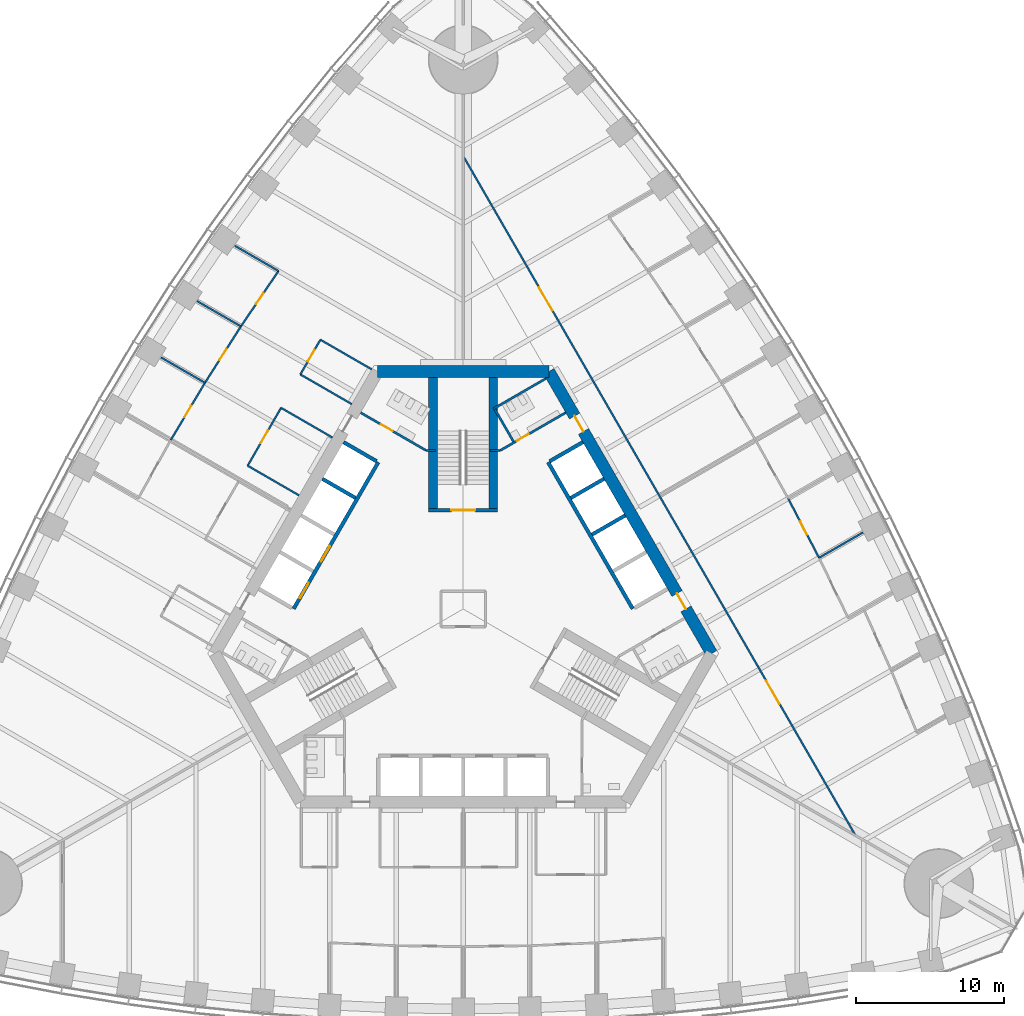
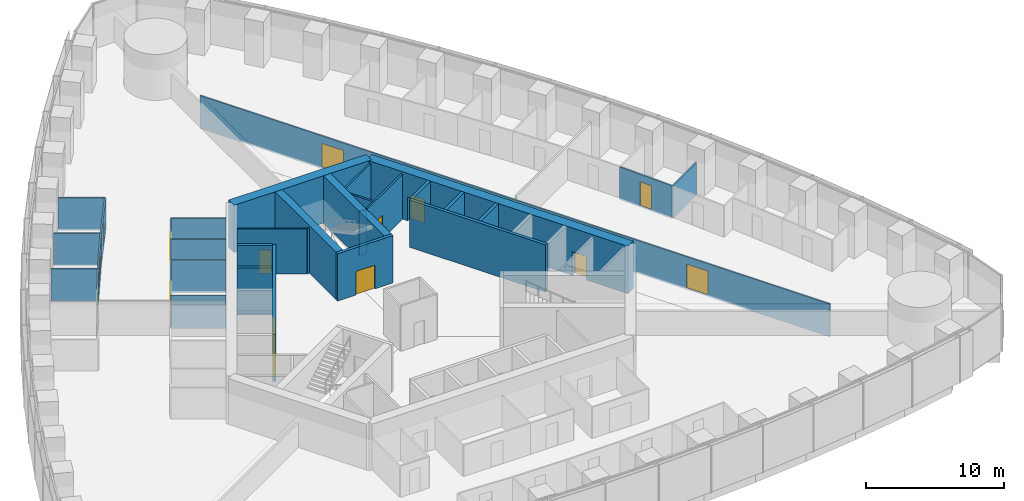
# One storey, part 12 of 18: 33 walls, 15 doors, 15 openings.
"""IFC4 building model written with IfcOpenShell, lengths in metres."""

from ifc_helpers import new_model, si_unit, direction, frame, frame_2d, origin, place, context, subcontext, project, spatial, rectangle, extrude, material, layer, layer_set, type_object, element, fill, save


model = new_model("IFC4")

# Units and contexts
model_context = context("Model", 3, precision=1e-05, world=origin(), true_north=direction((0.0, 1.0)))
body_context = subcontext(model_context, "Body", "Model", "MODEL_VIEW")
ifc_project = project(units=[si_unit("LENGTHUNIT", "METRE"), si_unit("AREAUNIT", "SQUARE_METRE"), si_unit("VOLUMEUNIT", "CUBIC_METRE"), si_unit("PLANEANGLEUNIT", "RADIAN"), si_unit("MASSUNIT", "GRAM", prefix="KILO")], contexts=[model_context])

# Site, building, storey
site_placement = place(None, origin())
site = spatial("IfcSite", under=ifc_project, at=site_placement, CompositionType="ELEMENT")
building_placement = place(site_placement, origin())
building = spatial("IfcBuilding", under=site, at=building_placement, Name="Trefoil Bronze Tower", CompositionType="ELEMENT")
storey_placement = place(building_placement, frame((0.0, 0.0, 41.699951171875)))
storey = spatial("IfcBuildingStorey", under=building, at=storey_placement, Name="L09", CompositionType="ELEMENT", Elevation=41.699951171875)

# Wall, openings, doors
ifc_material_1 = material(Name="Concrete B80", Category="concrete")
ifc_layer_1 = layer(ifc_material_1, 0.800048828125)
ifc_layer_set_1 = layer_set([ifc_layer_1], Name="Core wall 800")
wall_type_1 = type_object("IfcWallType", Name="Core wall 800", PredefinedType="SHEAR", material=ifc_layer_set_1)
wall_1_placement = place(storey_placement, frame((16.7431640625, -3.0, 0.0), z_axis=(0.0, 0.0, 1.0), x_axis=(-0.500002442456, 0.866023993627, 0.0)))
wall_1 = element("IfcWall", 1, at=wall_1_placement, inside=storey, type_object=wall_type_1, Name="Core long wall 2 L09", PredefinedType="SHEAR", context=body_context, shape_type="SweptSolid", body=[
    extrude(rectangle(XDim=21.939453125, YDim=0.800048828125, at=frame_2d((10.9697265625, 0.0))), origin(), (0.0, 0.0, 1.0), 4.199951171875),
])
opening_1_placement = place(wall_1_placement, frame((17.269775390625, 0.0, 0.0)))
opening_1 = element("IfcOpeningElement", 2, at=opening_1_placement, cuts=wall_1, Name="Opening D2", PredefinedType="OPENING", context=body_context, shape_type="SweptSolid", body=[
    extrude(rectangle(XDim=1.199951171875, YDim=2.10009765625, at=frame_2d((0.60009765625, 1.050048828125))), frame((0.0, 0.409912109375, 0.0), z_axis=(0.0, -1.0, 0.0), x_axis=(1.0, 0.0, 0.0)), (0.0, 0.0, 1.0), 0.820068359375),
])
opening_2_placement = place(wall_1_placement, frame((3.4697265625, 0.0, 0.0)))
opening_2 = element("IfcOpeningElement", 3, at=opening_2_placement, cuts=wall_1, Name="Opening D2", PredefinedType="OPENING", context=body_context, shape_type="SweptSolid", body=[
    extrude(rectangle(XDim=1.199951171875, YDim=2.10009765625, at=frame_2d((0.60009765625, 1.050048828125))), frame((0.0, 0.409912109375, 0.0), z_axis=(0.0, -1.0, 0.0), x_axis=(1.0, 0.0, 0.0)), (0.0, 0.0, 1.0), 0.820068359375),
])
ifc_material_2 = material(Name="Steel door", Category="steel")
door_type_1 = type_object("IfcDoorType", Name="Lobby door 1200", OperationType="SINGLE_SWING_RIGHT", PredefinedType="DOOR", material=ifc_material_2)
door_1_placement = place(opening_1_placement, origin())
door_1 = element("IfcDoor", 4, at=door_1_placement, inside=storey, type_object=door_type_1, Name="Lobby door F2+ L09", OperationType="SINGLE_SWING_RIGHT", OverallHeight=2.10009765625, OverallWidth=1.199951171875, PredefinedType="DOOR", context=body_context, shape_type="SweptSolid", body=[
    extrude(rectangle(XDim=1.199951171875, YDim=2.10009765625, at=frame_2d((0.60009765625, 1.050048828125))), frame((0.0, 0.02490234375, 0.0), z_axis=(0.0, -1.0, 0.0), x_axis=(1.0, 0.0, 0.0)), (0.0, 0.0, 1.0), 0.050048828125),
])
fill(opening_1, door_1)
door_2_placement = place(opening_2_placement, origin())
door_2 = element("IfcDoor", 5, at=door_2_placement, inside=storey, type_object=door_type_1, Name="Lobby door F2- L09", OperationType="SINGLE_SWING_LEFT", OverallHeight=2.10009765625, OverallWidth=1.199951171875, PredefinedType="DOOR", context=body_context, shape_type="SweptSolid", body=[
    extrude(rectangle(XDim=1.199951171875, YDim=2.10009765625, at=frame_2d((0.60009765625, 1.050048828125))), frame((0.0, 0.02490234375, 0.0), z_axis=(0.0, -1.0, 0.0), x_axis=(1.0, 0.0, 0.0)), (0.0, 0.0, 1.0), 0.050048828125),
])
fill(opening_2, door_2)

# Wall
wall_2_placement = place(storey_placement, frame((5.7734375, 16.0, 0.0), z_axis=(0.0, 0.0, 1.0), x_axis=(-1.0, 0.0, 0.0)))
element("IfcWall", 6, at=wall_2_placement, inside=storey, type_object=wall_type_1, Name="Core short wall 2 L09", PredefinedType="SHEAR", context=body_context, shape_type="SweptSolid", body=[
    extrude(rectangle(XDim=11.546875, YDim=0.800048828125, at=frame_2d((5.7734375, 0.0))), origin(), (0.0, 0.0, 1.0), 4.199951171875),
])

# Wall, openings, doors
ifc_material_3 = material(Name="Glazed partition", Category="glass")
ifc_layer_2 = layer(ifc_material_3, 0.1201171875)
ifc_layer_set_2 = layer_set([ifc_layer_2], Name="Glazed partition 120")
wall_type_2 = type_object("IfcWallType", Name="Glazed partition 120", PredefinedType="PARTITIONING", material=ifc_layer_set_2)
wall_3_placement = place(storey_placement, frame((26.41455078125, -15.2314453125, 0.0), z_axis=(0.0, 0.0, 1.0), x_axis=(-0.50000091641, 0.866024874695, 0.0)))
wall_3 = element("IfcWall", 7, at=wall_3_placement, inside=storey, type_object=wall_type_2, Name="Partition F2 L09", PredefinedType="PARTITIONING", context=body_context, shape_type="SweptSolid", body=[
    extrude(rectangle(XDim=52.79638671875, YDim=0.1201171875, at=frame_2d((26.398193359375, 0.0))), origin(), (0.0, 0.0, 1.0), 2.900146484375),
])
opening_3_placement = place(wall_3_placement, frame((10.199951171875, 0.0, 0.14990234375)))
opening_3 = element("IfcOpeningElement", 8, at=opening_3_placement, cuts=wall_3, Name="Opening D10", PredefinedType="OPENING", context=body_context, shape_type="SweptSolid", body=[
    extrude(rectangle(XDim=1.800048828125, YDim=2.10009765625, at=frame_2d((0.89990234375, 1.050048828125))), frame((0.0, 0.070068359375, 0.0), z_axis=(0.0, -1.0, 0.0), x_axis=(1.0, 0.0, 0.0)), (0.0, 0.0, 1.0), 0.14013671875),
])
opening_4_placement = place(wall_3_placement, frame((40.800048828125, 0.0, 0.14990234375)))
opening_4 = element("IfcOpeningElement", 9, at=opening_4_placement, cuts=wall_3, Name="Opening D10", PredefinedType="OPENING", context=body_context, shape_type="SweptSolid", body=[
    extrude(rectangle(XDim=1.800048828125, YDim=2.10009765625, at=frame_2d((0.89990234375, 1.050048828125))), frame((0.0, 0.070068359375, 0.0), z_axis=(0.0, -1.0, 0.0), x_axis=(1.0, 0.0, 0.0)), (0.0, 0.0, 1.0), 0.14013671875),
])
ifc_material_4 = material(Name="Timber door", Category="wood")
door_type_2 = type_object("IfcDoorType", Name="Double door 1800", OperationType="DOUBLE_DOOR_SINGLE_SWING", PredefinedType="DOOR", material=ifc_material_4)
door_3_placement = place(opening_3_placement, origin())
door_3 = element("IfcDoor", 10, at=door_3_placement, inside=storey, type_object=door_type_2, Name="Corridor door F2 L09", OperationType="DOUBLE_DOOR_SINGLE_SWING", OverallHeight=2.10009765625, OverallWidth=1.800048828125, PredefinedType="DOOR", context=body_context, shape_type="SweptSolid", body=[
    extrude(rectangle(XDim=1.800048828125, YDim=2.10009765625, at=frame_2d((0.89990234375, 1.050048828125))), frame((0.0, 0.02490234375, 0.0), z_axis=(0.0, -1.0, 0.0), x_axis=(1.0, 0.0, 0.0)), (0.0, 0.0, 1.0), 0.050048828125),
])
fill(opening_3, door_3)
door_4_placement = place(opening_4_placement, origin())
door_4 = element("IfcDoor", 11, at=door_4_placement, inside=storey, type_object=door_type_2, Name="Corridor door F2 L09", OperationType="DOUBLE_DOOR_SINGLE_SWING", OverallHeight=2.10009765625, OverallWidth=1.800048828125, PredefinedType="DOOR", context=body_context, shape_type="SweptSolid", body=[
    extrude(rectangle(XDim=1.800048828125, YDim=2.10009765625, at=frame_2d((0.89990234375, 1.050048828125))), frame((0.0, 0.02490234375, 0.0), z_axis=(0.0, -1.0, 0.0), x_axis=(1.0, 0.0, 0.0)), (0.0, 0.0, 1.0), 0.050048828125),
])
fill(opening_4, door_4)

# Wall, opening, door
wall_4_placement = place(storey_placement, frame((23.974609375, 3.449462890625, 0.0), z_axis=(0.0, 0.0, 1.0), x_axis=(-0.461810056307, 0.886978845235, 0.0)))
wall_4 = element("IfcWall", 12, at=wall_4_placement, inside=storey, type_object=wall_type_2, Name="Partition F2 L09", PredefinedType="PARTITIONING", context=body_context, shape_type="SweptSolid", body=[
    extrude(rectangle(XDim=4.504150390625, YDim=0.1201171875, at=frame_2d((2.251953125, 0.0))), origin(), (0.0, 0.0, 1.0), 2.900146484375),
])
opening_5_placement = place(wall_4_placement, frame((1.75, 0.0, 0.14990234375)))
opening_5 = element("IfcOpeningElement", 13, at=opening_5_placement, cuts=wall_4, Name="Opening D9", PredefinedType="OPENING", context=body_context, shape_type="SweptSolid", body=[
    extrude(rectangle(XDim=1.0, YDim=2.10009765625, at=frame_2d((0.5, 1.050048828125))), frame((0.0, 0.070068359375, 0.0), z_axis=(0.0, -1.0, 0.0), x_axis=(1.0, 0.0, 0.0)), (0.0, 0.0, 1.0), 0.14013671875),
])
ifc_material_5 = material(Name="Glazed timber door", Category="wood")
door_type_3 = type_object("IfcDoorType", Name="Meeting room door 1000", OperationType="SINGLE_SWING_LEFT", PredefinedType="DOOR", material=ifc_material_5)
door_5_placement = place(opening_5_placement, frame((1.0, 0.0, 0.0), z_axis=(0.0, 0.0, 1.0), x_axis=(-1.0, 0.0, 0.0)))
door_5 = element("IfcDoor", 14, at=door_5_placement, inside=storey, type_object=door_type_3, Name="Meeting room door F2 L09", OperationType="SINGLE_SWING_RIGHT", OverallHeight=2.10009765625, OverallWidth=1.0, PredefinedType="DOOR", context=body_context, shape_type="SweptSolid", body=[
    extrude(rectangle(XDim=1.0, YDim=2.10009765625, at=frame_2d((0.5, 1.050048828125))), frame((0.0, 0.02490234375, 0.0), z_axis=(0.0, -1.0, 0.0), x_axis=(1.0, 0.0, 0.0)), (0.0, 0.0, 1.0), 0.050048828125),
])
fill(opening_5, door_5)

# Wall
wall_5_placement = place(storey_placement, frame((23.974609375, 3.449462890625, 0.0), z_axis=(0.0, 0.0, 1.0), x_axis=(0.866014265796, 0.500019291066, 0.0)))
element("IfcWall", 15, at=wall_5_placement, inside=storey, type_object=wall_type_2, Name="Partition F2 L09", PredefinedType="PARTITIONING", context=body_context, shape_type="SweptSolid", body=[
    extrude(rectangle(XDim=3.417236328125, YDim=0.1201171875, at=frame_2d((1.70849609375, 0.0))), origin(), (0.0, 0.0, 1.0), 2.900146484375),
])

# Wall, opening, door
wall_6_placement = place(storey_placement, frame((-9.618896484375, 18.1396484375, 0.0), z_axis=(0.0, 0.0, 1.0), x_axis=(-0.499980770555, -0.866036505625, 0.0)))
wall_6 = element("IfcWall", 16, at=wall_6_placement, inside=storey, type_object=wall_type_2, Name="Partition F3 L09", PredefinedType="PARTITIONING", context=body_context, shape_type="SweptSolid", body=[
    extrude(rectangle(XDim=2.69970703125, YDim=0.1201171875, at=frame_2d((1.349853515625, 0.0))), origin(), (0.0, 0.0, 1.0), 2.900146484375),
])
opening_6_placement = place(wall_6_placement, frame((0.800048828125, 0.0, 0.14990234375)))
opening_6 = element("IfcOpeningElement", 17, at=opening_6_placement, cuts=wall_6, Name="Opening D8", PredefinedType="OPENING", context=body_context, shape_type="SweptSolid", body=[
    extrude(rectangle(XDim=0.89990234375, YDim=2.10009765625, at=frame_2d((0.449951171875, 1.050048828125))), frame((0.0, 0.070068359375, 0.0), z_axis=(0.0, -1.0, 0.0), x_axis=(1.0, 0.0, 0.0)), (0.0, 0.0, 1.0), 0.14013671875),
])
ifc_material_6 = material(Name="Timber door", Category="wood")
door_type_4 = type_object("IfcDoorType", Name="Office door 900", OperationType="SINGLE_SWING_LEFT", PredefinedType="DOOR", material=ifc_material_6)
door_6_placement = place(opening_6_placement, origin())
door_6 = element("IfcDoor", 18, at=door_6_placement, inside=storey, type_object=door_type_4, Name="Pantry door F3 L09", OperationType="SINGLE_SWING_LEFT", OverallHeight=2.10009765625, OverallWidth=0.89990234375, PredefinedType="DOOR", context=body_context, shape_type="SweptSolid", body=[
    extrude(rectangle(XDim=0.89990234375, YDim=2.10009765625, at=frame_2d((0.449951171875, 1.050048828125))), frame((0.0, 0.02490234375, 0.0), z_axis=(0.0, -1.0, 0.0), x_axis=(1.0, 0.0, 0.0)), (0.0, 0.0, 1.0), 0.050048828125),
])
fill(opening_6, door_6)

wall_7_placement = place(storey_placement, frame((-12.268798828125, 13.5498046875, 0.0), z_axis=(0.0, 0.0, 1.0), x_axis=(-0.499990139034, -0.866031096941, 0.0)))
wall_7 = element("IfcWall", 19, at=wall_7_placement, inside=storey, type_object=wall_type_2, Name="Partition F3 L09", PredefinedType="PARTITIONING", context=body_context, shape_type="SweptSolid", body=[
    extrude(rectangle(XDim=4.5, YDim=0.1201171875, at=frame_2d((2.25, 0.0))), origin(), (0.0, 0.0, 1.0), 2.900146484375),
])
opening_7_placement = place(wall_7_placement, frame((1.75, 0.0, 0.14990234375)))
opening_7 = element("IfcOpeningElement", 20, at=opening_7_placement, cuts=wall_7, Name="Opening D9", PredefinedType="OPENING", context=body_context, shape_type="SweptSolid", body=[
    extrude(rectangle(XDim=1.0, YDim=2.10009765625, at=frame_2d((0.5, 1.050048828125))), frame((0.0, 0.070068359375, 0.0), z_axis=(0.0, -1.0, 0.0), x_axis=(1.0, 0.0, 0.0)), (0.0, 0.0, 1.0), 0.14013671875),
])
door_7_placement = place(opening_7_placement, origin())
door_7 = element("IfcDoor", 21, at=door_7_placement, inside=storey, type_object=door_type_3, Name="Project room door F3 L09", OperationType="SINGLE_SWING_RIGHT", OverallHeight=2.10009765625, OverallWidth=1.0, PredefinedType="DOOR", context=body_context, shape_type="SweptSolid", body=[
    extrude(rectangle(XDim=1.0, YDim=2.10009765625, at=frame_2d((0.5, 1.050048828125))), frame((0.0, 0.02490234375, 0.0), z_axis=(0.0, -1.0, 0.0), x_axis=(1.0, 0.0, 0.0)), (0.0, 0.0, 1.0), 0.050048828125),
])
fill(opening_7, door_7)

# Walls
for number, where, z_axis, x_axis, name in (
    (22, (-11.0546875, 7.652587890625, 0.0), (0.0, 0.0, 1.0), (-0.866026010844, 0.49999894854, 0.0), "Partition F3 L09"),
    (23, (-6.15478515625, 16.1396484375, 0.0), (0.0, 0.0, 1.0), (-0.866026010844, 0.49999894854, 0.0), "Partition F3 L09"),
    (24, (-8.8046875, 11.5498046875, 0.0), (0.0, 0.0, 1.0), (-0.866026010844, 0.49999894854, 0.0), "Partition F3 L09"),
    (25, (-7.504638671875, 13.801513671875, 0.0), (0.0, 0.0, 1.0), (-0.866026010844, 0.49999894854, 0.0), "Partition F3 L09"),
):
    element("IfcWall", number, at=place(storey_placement, frame(where, z_axis=z_axis, x_axis=x_axis)), inside=storey, type_object=wall_type_2, Name=name, PredefinedType="PARTITIONING", context=body_context, shape_type="SweptSolid", body=[
        extrude(rectangle(XDim=4.0, YDim=0.1201171875, at=frame_2d((2.0, 0.0))), origin(), (0.0, 0.0, 1.0), 2.900146484375),
    ])

# Wall, opening, door
wall_8_placement = place(storey_placement, frame((-12.441162109375, 22.771240234375, 0.0), z_axis=(0.0, 0.0, 1.0), x_axis=(-0.561512004239, -0.827468591002, 0.0)))
wall_8 = element("IfcWall", 26, at=wall_8_placement, inside=storey, type_object=wall_type_2, Name="Partition F3 L09", PredefinedType="PARTITIONING", context=body_context, shape_type="SweptSolid", body=[
    extrude(rectangle(XDim=4.51171875, YDim=0.1201171875, at=frame_2d((2.255859375, 0.0))), origin(), (0.0, 0.0, 1.0), 2.900146484375),
])
opening_8_placement = place(wall_8_placement, frame((1.800048828125, 0.0, 0.14990234375)))
opening_8 = element("IfcOpeningElement", 27, at=opening_8_placement, cuts=wall_8, Name="Opening D8", PredefinedType="OPENING", context=body_context, shape_type="SweptSolid", body=[
    extrude(rectangle(XDim=0.89990234375, YDim=2.10009765625, at=frame_2d((0.449951171875, 1.050048828125))), frame((0.0, 0.070068359375, 0.0), z_axis=(0.0, -1.0, 0.0), x_axis=(1.0, 0.0, 0.0)), (0.0, 0.0, 1.0), 0.14013671875),
])
door_8_placement = place(opening_8_placement, frame((0.89990234375, 0.0, 0.0), z_axis=(0.0, 0.0, 1.0), x_axis=(-1.0, 0.0, 0.0)))
door_8 = element("IfcDoor", 28, at=door_8_placement, inside=storey, type_object=door_type_4, Name="Office door F3 L09", OperationType="SINGLE_SWING_RIGHT", OverallHeight=2.10009765625, OverallWidth=0.89990234375, PredefinedType="DOOR", context=body_context, shape_type="SweptSolid", body=[
    extrude(rectangle(XDim=0.89990234375, YDim=2.10009765625, at=frame_2d((0.449951171875, 1.050048828125))), frame((0.0, 0.02490234375, 0.0), z_axis=(0.0, -1.0, 0.0), x_axis=(1.0, 0.0, 0.0)), (0.0, 0.0, 1.0), 0.050048828125),
])
fill(opening_8, door_8)

wall_9_placement = place(storey_placement, frame((-17.39453125, 15.23876953125, 0.0), z_axis=(0.0, 0.0, 1.0), x_axis=(-0.512483962191, -0.858696796604, 0.0)))
wall_9 = element("IfcWall", 29, at=wall_9_placement, inside=storey, type_object=wall_type_2, Name="Partition F3 L09", PredefinedType="PARTITIONING", context=body_context, shape_type="SweptSolid", body=[
    extrude(rectangle(XDim=4.50048828125, YDim=0.1201171875, at=frame_2d((2.250244140625, 0.0))), origin(), (0.0, 0.0, 1.0), 2.900146484375),
])
opening_9_placement = place(wall_9_placement, frame((1.800048828125, 0.0, 0.14990234375)))
opening_9 = element("IfcOpeningElement", 30, at=opening_9_placement, cuts=wall_9, Name="Opening D8", PredefinedType="OPENING", context=body_context, shape_type="SweptSolid", body=[
    extrude(rectangle(XDim=0.89990234375, YDim=2.10009765625, at=frame_2d((0.449951171875, 1.050048828125))), frame((0.0, 0.070068359375, 0.0), z_axis=(0.0, -1.0, 0.0), x_axis=(1.0, 0.0, 0.0)), (0.0, 0.0, 1.0), 0.14013671875),
])
door_9_placement = place(opening_9_placement, frame((0.89990234375, 0.0, 0.0), z_axis=(0.0, 0.0, 1.0), x_axis=(-1.0, 0.0, 0.0)))
door_9 = element("IfcDoor", 31, at=door_9_placement, inside=storey, type_object=door_type_4, Name="Office door F3 L09", OperationType="SINGLE_SWING_RIGHT", OverallHeight=2.10009765625, OverallWidth=0.89990234375, PredefinedType="DOOR", context=body_context, shape_type="SweptSolid", body=[
    extrude(rectangle(XDim=0.89990234375, YDim=2.10009765625, at=frame_2d((0.449951171875, 1.050048828125))), frame((0.0, 0.02490234375, 0.0), z_axis=(0.0, -1.0, 0.0), x_axis=(1.0, 0.0, 0.0)), (0.0, 0.0, 1.0), 0.050048828125),
])
fill(opening_9, door_9)

wall_10_placement = place(storey_placement, frame((-14.974609375, 19.037841796875, 0.0), z_axis=(0.0, 0.0, 1.0), x_axis=(-0.537243691336, -0.843427066272, 0.0)))
wall_10 = element("IfcWall", 32, at=wall_10_placement, inside=storey, type_object=wall_type_2, Name="Partition F3 L09", PredefinedType="PARTITIONING", context=body_context, shape_type="SweptSolid", body=[
    extrude(rectangle(XDim=4.50439453125, YDim=0.1201171875, at=frame_2d((2.252197265625, 0.0))), origin(), (0.0, 0.0, 1.0), 2.900146484375),
])
opening_10_placement = place(wall_10_placement, frame((1.800048828125, 0.0, 0.14990234375)))
opening_10 = element("IfcOpeningElement", 33, at=opening_10_placement, cuts=wall_10, Name="Opening D8", PredefinedType="OPENING", context=body_context, shape_type="SweptSolid", body=[
    extrude(rectangle(XDim=0.89990234375, YDim=2.10009765625, at=frame_2d((0.449951171875, 1.050048828125))), frame((0.0, 0.070068359375, 0.0), z_axis=(0.0, -1.0, 0.0), x_axis=(1.0, 0.0, 0.0)), (0.0, 0.0, 1.0), 0.14013671875),
])
door_10_placement = place(opening_10_placement, frame((0.89990234375, 0.0, 0.0), z_axis=(0.0, 0.0, 1.0), x_axis=(-1.0, 0.0, 0.0)))
door_10 = element("IfcDoor", 34, at=door_10_placement, inside=storey, type_object=door_type_4, Name="Office door F3 L09", OperationType="SINGLE_SWING_RIGHT", OverallHeight=2.10009765625, OverallWidth=0.89990234375, PredefinedType="DOOR", context=body_context, shape_type="SweptSolid", body=[
    extrude(rectangle(XDim=0.89990234375, YDim=2.10009765625, at=frame_2d((0.449951171875, 1.050048828125))), frame((0.0, 0.02490234375, 0.0), z_axis=(0.0, -1.0, 0.0), x_axis=(1.0, 0.0, 0.0)), (0.0, 0.0, 1.0), 0.050048828125),
])
fill(opening_10, door_10)

# Walls
wall_11_placement = place(storey_placement, frame((-12.441162109375, 22.771240234375, 0.0), z_axis=(0.0, 0.0, 1.0), x_axis=(-0.866016478054, 0.500015459501, 0.0)))
element("IfcWall", 35, at=wall_11_placement, inside=storey, type_object=wall_type_2, Name="Partition F3 L09", PredefinedType="PARTITIONING", context=body_context, shape_type="SweptSolid", body=[
    extrude(rectangle(XDim=3.4140625, YDim=0.1201171875, at=frame_2d((1.70703125, 0.0))), origin(), (0.0, 0.0, 1.0), 2.900146484375),
])
wall_12_placement = place(storey_placement, frame((-17.39453125, 15.23876953125, 0.0), z_axis=(0.0, 0.0, 1.0), x_axis=(-0.866015553834, 0.500017060227, 0.0)))
element("IfcWall", 36, at=wall_12_placement, inside=storey, type_object=wall_type_2, Name="Partition F3 L09", PredefinedType="PARTITIONING", context=body_context, shape_type="SweptSolid", body=[
    extrude(rectangle(XDim=3.41943359375, YDim=0.1201171875, at=frame_2d((1.709716796875, 0.0))), origin(), (0.0, 0.0, 1.0), 2.900146484375),
])
wall_13_placement = place(storey_placement, frame((-14.974609375, 19.037841796875, 0.0), z_axis=(0.0, 0.0, 1.0), x_axis=(-0.866014265796, 0.500019291066, 0.0)))
element("IfcWall", 37, at=wall_13_placement, inside=storey, type_object=wall_type_2, Name="Partition F3 L09", PredefinedType="PARTITIONING", context=body_context, shape_type="SweptSolid", body=[
    extrude(rectangle(XDim=3.417236328125, YDim=0.1201171875, at=frame_2d((1.70849609375, 0.0))), origin(), (0.0, 0.0, 1.0), 2.900146484375),
])

# Wall, opening, door
ifc_material_7 = material(Name="Gypsum board on steel studs", Category="steel")
ifc_layer_3 = layer(ifc_material_7, 0.14990234375)
ifc_layer_set_3 = layer_set([ifc_layer_3], Name="Partition 150")
wall_type_3 = type_object("IfcWallType", Name="Partition 150", PredefinedType="PARTITIONING", material=ifc_layer_set_3)
wall_14_placement = place(storey_placement, frame((2.4951171875, 10.67822265625, 0.0), z_axis=(0.0, 0.0, 1.0), x_axis=(0.86602216432, 0.500005610874, 0.0)))
wall_14 = element("IfcWall", 38, at=wall_14_placement, inside=storey, type_object=wall_type_3, Name="Passage wall F2+ L09", PredefinedType="PARTITIONING", context=body_context, shape_type="SweptSolid", body=[
    extrude(rectangle(XDim=5.10009765625, YDim=0.14990234375, at=frame_2d((2.550048828125, 0.0))), origin(), (0.0, 0.0, 1.0), 4.0),
])
opening_11_placement = place(wall_14_placement, frame((1.300048828125, 0.0, 0.0)))
opening_11 = element("IfcOpeningElement", 39, at=opening_11_placement, cuts=wall_14, Name="Opening D3", PredefinedType="OPENING", context=body_context, shape_type="SweptSolid", body=[
    extrude(rectangle(XDim=0.89990234375, YDim=2.10009765625, at=frame_2d((0.449951171875, 1.050048828125))), frame((0.0, 0.0849609375, 0.0), z_axis=(0.0, -1.0, 0.0), x_axis=(1.0, 0.0, 0.0)), (0.0, 0.0, 1.0), 0.169921875),
])
ifc_material_8 = material(Name="Timber door", Category="wood")
door_type_5 = type_object("IfcDoorType", Name="WC door 900", OperationType="SINGLE_SWING_LEFT", PredefinedType="DOOR", material=ifc_material_8)
door_11_placement = place(opening_11_placement, origin())
door_11 = element("IfcDoor", 40, at=door_11_placement, inside=storey, type_object=door_type_5, Name="WC (men) door L09", OperationType="SINGLE_SWING_LEFT", OverallHeight=2.10009765625, OverallWidth=0.89990234375, PredefinedType="DOOR", context=body_context, shape_type="SweptSolid", body=[
    extrude(rectangle(XDim=0.89990234375, YDim=2.10009765625, at=frame_2d((0.449951171875, 1.050048828125))), frame((0.0, 0.02490234375, 0.0), z_axis=(0.0, -1.0, 0.0), x_axis=(1.0, 0.0, 0.0)), (0.0, 0.0, 1.0), 0.050048828125),
])
fill(opening_11, door_11)

wall_15_placement = place(storey_placement, frame((-2.4951171875, 10.67822265625, 0.0), z_axis=(0.0, 0.0, 1.0), x_axis=(-0.86602216432, 0.500005610874, 0.0)))
wall_15 = element("IfcWall", 41, at=wall_15_placement, inside=storey, type_object=wall_type_3, Name="Passage wall F3- L09", PredefinedType="PARTITIONING", context=body_context, shape_type="SweptSolid", body=[
    extrude(rectangle(XDim=5.10009765625, YDim=0.14990234375, at=frame_2d((2.550048828125, 0.0))), origin(), (0.0, 0.0, 1.0), 4.0),
])
opening_12_placement = place(wall_15_placement, frame((2.60009765625, 0.0, 0.0)))
opening_12 = element("IfcOpeningElement", 42, at=opening_12_placement, cuts=wall_15, Name="Opening D3", PredefinedType="OPENING", context=body_context, shape_type="SweptSolid", body=[
    extrude(rectangle(XDim=0.89990234375, YDim=2.10009765625, at=frame_2d((0.449951171875, 1.050048828125))), frame((0.0, 0.0849609375, 0.0), z_axis=(0.0, -1.0, 0.0), x_axis=(1.0, 0.0, 0.0)), (0.0, 0.0, 1.0), 0.169921875),
])
door_12_placement = place(opening_12_placement, frame((0.89990234375, 0.0, 0.0), z_axis=(0.0, 0.0, 1.0), x_axis=(-1.0, 0.0, 0.0)))
door_12 = element("IfcDoor", 43, at=door_12_placement, inside=storey, type_object=door_type_5, Name="WC (women) door L09", OperationType="SINGLE_SWING_LEFT", OverallHeight=2.10009765625, OverallWidth=0.89990234375, PredefinedType="DOOR", context=body_context, shape_type="SweptSolid", body=[
    extrude(rectangle(XDim=0.89990234375, YDim=2.10009765625, at=frame_2d((0.449951171875, 1.050048828125))), frame((0.0, 0.02490234375, 0.0), z_axis=(0.0, -1.0, 0.0), x_axis=(1.0, 0.0, 0.0)), (0.0, 0.0, 1.0), 0.050048828125),
])
fill(opening_12, door_12)

# Walls
for number, where, z_axis, x_axis, name in (
    (44, (2.4951171875, 10.67822265625, 0.0), (0.0, 0.0, 1.0), (-1.0, 0.0, 0.0), "WC wall ST2-1 L09"),
    (45, (-2.4951171875, 10.67822265625, 0.0), (0.0, 0.0, 1.0), (1.0, 0.0, 0.0), "WC wall ST2+1 L09"),
):
    element("IfcWall", number, at=place(storey_placement, frame(where, z_axis=z_axis, x_axis=x_axis)), inside=storey, type_object=wall_type_3, Name=name, PredefinedType="PARTITIONING", context=body_context, shape_type="SweptSolid", body=[
        extrude(rectangle(XDim=0.64501953125, YDim=0.14990234375, at=frame_2d((0.322509765625, 0.0))), origin(), (0.0, 0.0, 1.0), 4.0),
    ])
wall_16_placement = place(storey_placement, frame((2.03125, 13.48193359375, 0.0), z_axis=(0.0, 0.0, 1.0), x_axis=(0.866050731258, 0.499956128963, 0.0)))
element("IfcWall", 46, at=wall_16_placement, inside=storey, type_object=wall_type_3, Name="WC partition WC (men) L09", PredefinedType="PARTITIONING", context=body_context, shape_type="SweptSolid", body=[
    extrude(rectangle(XDim=4.099853515625, YDim=0.14990234375, at=frame_2d((2.0498046875, 0.0))), origin(), (0.0, 0.0, 1.0), 4.0),
])
wall_17_placement = place(storey_placement, frame((3.388671875, 11.28076171875, 0.0), z_axis=(0.0, 0.0, 1.0), x_axis=(-0.499989096993, 0.866031698547, 0.0)))
element("IfcWall", 47, at=wall_17_placement, inside=storey, type_object=wall_type_3, Name="WC partition WC (men) L09", PredefinedType="PARTITIONING", context=body_context, shape_type="SweptSolid", body=[
    extrude(rectangle(XDim=2.509765625, YDim=0.14990234375, at=frame_2d((1.2548828125, 0.0))), origin(), (0.0, 0.0, 1.0), 4.0),
])
ifc_material_9 = material(Name="Concrete B80", Category="concrete")
ifc_layer_4 = layer(ifc_material_9, 0.25)
ifc_layer_set_4 = layer_set([ifc_layer_4], Name="Shaft wall 250")
wall_type_4 = type_object("IfcWallType", Name="Shaft wall 250", PredefinedType="SHEAR", material=ifc_layer_set_4)
wall_18_placement = place(storey_placement, frame((11.423583984375, 0.013671875, 0.0), z_axis=(0.0, 0.0, 1.0), x_axis=(-0.500001763848, 0.866024385424, 0.0)))
element("IfcWall", 48, at=wall_18_placement, inside=storey, type_object=wall_type_4, Name="Lift shaft front wall B L09", PredefinedType="SHEAR", context=body_context, shape_type="SweptSolid", body=[
    extrude(rectangle(XDim=11.39990234375, YDim=0.25, at=frame_2d((5.699951171875, 0.0))), origin(), (0.0, 0.0, 1.0), 4.199951171875),
])
for number, where, z_axis, x_axis, name in (
    (49, (8.681884765625, 5.012451171875, 0.0), (0.0, 0.0, 1.0), (0.866005588531, 0.500034319456, 0.0), "Lift shaft side wall B2 L09"),
    (50, (7.2568359375, 7.480712890625, 0.0), (0.0, 0.0, 1.0), (0.866046643894, 0.499963209246, 0.0), "Lift shaft side wall B3 L09"),
):
    element("IfcWall", number, at=place(storey_placement, frame(where, z_axis=z_axis, x_axis=x_axis)), inside=storey, type_object=wall_type_4, Name=name, PredefinedType="SHEAR", context=body_context, shape_type="SweptSolid", body=[
        extrude(rectangle(XDim=2.574951171875, YDim=0.25, at=frame_2d((1.28759765625, 0.0))), origin(), (0.0, 0.0, 1.0), 4.199951171875),
    ])
wall_19_placement = place(storey_placement, frame((5.831787109375, 9.94873046875, 0.0), z_axis=(0.0, 0.0, 1.0), x_axis=(0.866029291668, 0.499993265928, 0.0)))
element("IfcWall", 51, at=wall_19_placement, inside=storey, type_object=wall_type_4, Name="Lift shaft side wall B4 L09", PredefinedType="SHEAR", context=body_context, shape_type="SweptSolid", body=[
    extrude(rectangle(XDim=2.5751953125, YDim=0.25, at=frame_2d((1.28759765625, 0.0))), origin(), (0.0, 0.0, 1.0), 4.199951171875),
])

# Wall, openings, doors
wall_20_placement = place(storey_placement, frame((-5.7236328125, 9.88623046875, 0.0), z_axis=(0.0, 0.0, 1.0), x_axis=(-0.500001763848, -0.866024385424, 0.0)))
wall_20 = element("IfcWall", 52, at=wall_20_placement, inside=storey, type_object=wall_type_4, Name="Lift shaft front wall C L09", PredefinedType="SHEAR", context=body_context, shape_type="SweptSolid", body=[
    extrude(rectangle(XDim=11.39990234375, YDim=0.25, at=frame_2d((5.699951171875, 0.0))), origin(), (0.0, 0.0, 1.0), 4.199951171875),
])
opening_13_placement = place(wall_20_placement, frame((6.52490234375, 0.0, 0.0)))
opening_13 = element("IfcOpeningElement", 53, at=opening_13_placement, cuts=wall_20, Name="Opening LD-FL1", PredefinedType="OPENING", context=body_context, shape_type="SweptSolid", body=[
    extrude(rectangle(XDim=1.199951171875, YDim=2.199951171875, at=frame_2d((0.60009765625, 1.10009765625))), frame((0.0, 0.135009765625, 0.0), z_axis=(0.0, -1.0, 0.0), x_axis=(1.0, 0.0, 0.0)), (0.0, 0.0, 1.0), 0.27001953125),
])
opening_14_placement = place(wall_20_placement, frame((9.375, 0.0, 0.0)))
opening_14 = element("IfcOpeningElement", 54, at=opening_14_placement, cuts=wall_20, Name="Opening LD-FL2", PredefinedType="OPENING", context=body_context, shape_type="SweptSolid", body=[
    extrude(rectangle(XDim=1.199951171875, YDim=2.199951171875, at=frame_2d((0.60009765625, 1.10009765625))), frame((0.0, 0.135009765625, 0.0), z_axis=(0.0, -1.0, 0.0), x_axis=(1.0, 0.0, 0.0)), (0.0, 0.0, 1.0), 0.27001953125),
])
ifc_material_10 = material(Name="Steel door", Category="steel")
door_type_6 = type_object("IfcDoorType", Name="Lift landing door 1200", OperationType="DOUBLE_DOOR_SLIDING", PredefinedType="DOOR", material=ifc_material_10)
door_13_placement = place(opening_13_placement, origin())
door_13 = element("IfcDoor", 55, at=door_13_placement, inside=storey, type_object=door_type_6, Name="Lift FL1 landing door L09", OperationType="DOUBLE_DOOR_SLIDING", OverallHeight=2.199951171875, OverallWidth=1.199951171875, PredefinedType="DOOR", context=body_context, shape_type="SweptSolid", body=[
    extrude(rectangle(XDim=1.199951171875, YDim=2.199951171875, at=frame_2d((0.60009765625, 1.10009765625))), frame((0.0, 0.02490234375, 0.0), z_axis=(0.0, -1.0, 0.0), x_axis=(1.0, 0.0, 0.0)), (0.0, 0.0, 1.0), 0.050048828125),
])
fill(opening_13, door_13)
door_14_placement = place(opening_14_placement, origin())
door_14 = element("IfcDoor", 56, at=door_14_placement, inside=storey, type_object=door_type_6, Name="Lift FL2 landing door L09", OperationType="DOUBLE_DOOR_SLIDING", OverallHeight=2.199951171875, OverallWidth=1.199951171875, PredefinedType="DOOR", context=body_context, shape_type="SweptSolid", body=[
    extrude(rectangle(XDim=1.199951171875, YDim=2.199951171875, at=frame_2d((0.60009765625, 1.10009765625))), frame((0.0, 0.02490234375, 0.0), z_axis=(0.0, -1.0, 0.0), x_axis=(1.0, 0.0, 0.0)), (0.0, 0.0, 1.0), 0.050048828125),
])
fill(opening_14, door_14)

# Walls
wall_21_placement = place(storey_placement, frame((-5.831787109375, 9.94873046875, 0.0), z_axis=(0.0, 0.0, 1.0), x_axis=(-0.866029291668, 0.499993265928, 0.0)))
element("IfcWall", 57, at=wall_21_placement, inside=storey, type_object=wall_type_4, Name="Lift shaft side wall C0 L09", PredefinedType="SHEAR", context=body_context, shape_type="SweptSolid", body=[
    extrude(rectangle(XDim=2.5751953125, YDim=0.25, at=frame_2d((1.28759765625, 0.0))), origin(), (0.0, 0.0, 1.0), 4.199951171875),
])
wall_22_placement = place(storey_placement, frame((-7.2568359375, 7.480712890625, 0.0), z_axis=(0.0, 0.0, 1.0), x_axis=(-0.866046643894, 0.499963209246, 0.0)))
element("IfcWall", 58, at=wall_22_placement, inside=storey, type_object=wall_type_4, Name="Lift shaft side wall C1 L09", PredefinedType="SHEAR", context=body_context, shape_type="SweptSolid", body=[
    extrude(rectangle(XDim=2.574951171875, YDim=0.25, at=frame_2d((1.28759765625, 0.0))), origin(), (0.0, 0.0, 1.0), 4.199951171875),
])

# Wall, opening, door
wall_23_placement = place(storey_placement, frame((2.324951171875, 6.64990234375, 0.0), z_axis=(0.0, 0.0, 1.0), x_axis=(-1.0, 0.0, 0.0)))
wall_23 = element("IfcWall", 59, at=wall_23_placement, inside=storey, type_object=wall_type_4, Name="Stair end wall ST2 L09", PredefinedType="SHEAR", context=body_context, shape_type="SweptSolid", body=[
    extrude(rectangle(XDim=4.64990234375, YDim=0.25, at=frame_2d((2.324951171875, 0.0))), origin(), (0.0, 0.0, 1.0), 4.199951171875),
])
opening_15_placement = place(wall_23_placement, frame((1.52490234375, 0.0, 0.0)))
opening_15 = element("IfcOpeningElement", 60, at=opening_15_placement, cuts=wall_23, Name="Opening D1", PredefinedType="OPENING", context=body_context, shape_type="SweptSolid", body=[
    extrude(rectangle(XDim=1.60009765625, YDim=2.10009765625, at=frame_2d((0.800048828125, 1.050048828125))), frame((0.0, 0.135009765625, 0.0), z_axis=(0.0, -1.0, 0.0), x_axis=(1.0, 0.0, 0.0)), (0.0, 0.0, 1.0), 0.27001953125),
])
ifc_material_11 = material(Name="Steel door", Category="steel")
door_type_7 = type_object("IfcDoorType", Name="Stair door 1600", OperationType="DOUBLE_DOOR_SINGLE_SWING", PredefinedType="DOOR", material=ifc_material_11)
door_15_placement = place(opening_15_placement, frame((1.60009765625, 0.0, 0.0), z_axis=(0.0, 0.0, 1.0), x_axis=(-1.0, 0.0, 0.0)))
door_15 = element("IfcDoor", 61, at=door_15_placement, inside=storey, type_object=door_type_7, Name="Stair door ST2 L09", OperationType="DOUBLE_DOOR_SINGLE_SWING", OverallHeight=2.10009765625, OverallWidth=1.60009765625, PredefinedType="DOOR", context=body_context, shape_type="SweptSolid", body=[
    extrude(rectangle(XDim=1.60009765625, YDim=2.10009765625, at=frame_2d((0.800048828125, 1.050048828125))), frame((0.0, 0.02490234375, 0.0), z_axis=(0.0, -1.0, 0.0), x_axis=(1.0, 0.0, 0.0)), (0.0, 0.0, 1.0), 0.050048828125),
])
fill(opening_15, door_15)

# Walls
ifc_material_12 = material(Name="Concrete B80", Category="concrete")
ifc_layer_5 = layer(ifc_material_12, 0.60009765625)
ifc_layer_set_5 = layer_set([ifc_layer_5], Name="Stair wall 600")
wall_type_5 = type_object("IfcWallType", Name="Stair wall 600", PredefinedType="SHEAR", material=ifc_layer_set_5)
for number, where, z_axis, x_axis, name in (
    (62, (2.02490234375, 6.52490234375, 0.0), (0.0, 0.0, 1.0), (0.0, 1.0, 0.0), "Stair wall ST2 L09"),
    (63, (-2.02490234375, 6.52490234375, 0.0), (0.0, 0.0, 1.0), (0.0, 1.0, 0.0), "Stair wall ST2 L09"),
):
    element("IfcWall", number, at=place(storey_placement, frame(where, z_axis=z_axis, x_axis=x_axis)), inside=storey, type_object=wall_type_5, Name=name, PredefinedType="SHEAR", context=body_context, shape_type="SweptSolid", body=[
        extrude(rectangle(XDim=9.0751953125, YDim=0.60009765625, at=frame_2d((4.53759765625, 0.0))), origin(), (0.0, 0.0, 1.0), 4.199951171875),
    ])

save(model, "model.ifc")
